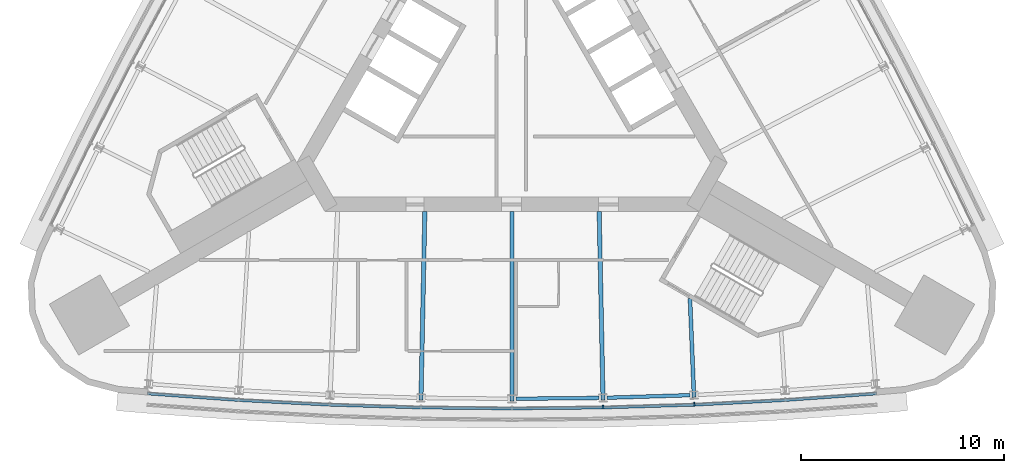
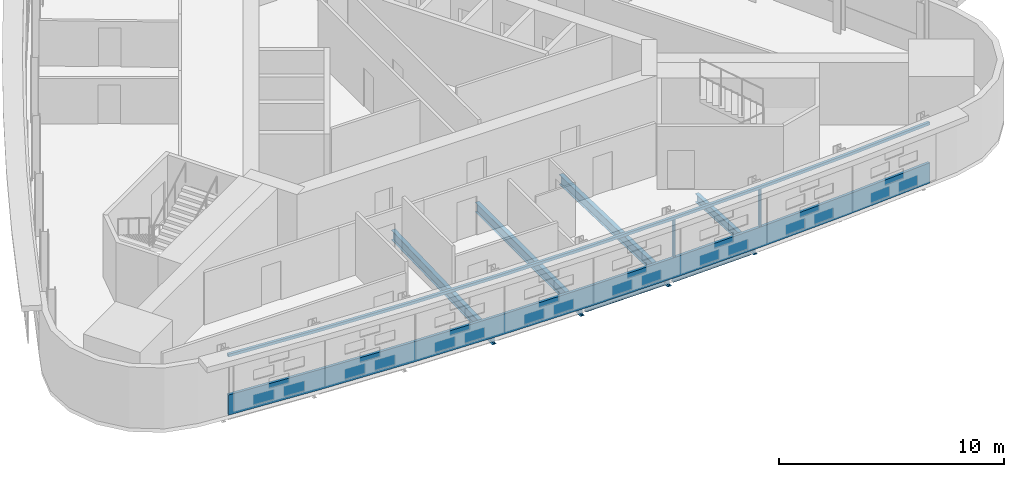
# One storey, part 3 of 13: 6 beams, 4 members, 1 element without a shape of its own.
"""IFC4 building model written with IfcOpenShell, lengths in metres."""

import ifcopenshell
import ifcopenshell.guid

model = None  # the IFC model being written
_history = None  # IfcOwnerHistory: only IFC2X3 demands one
_inside = {}  # id of a spatial element -> (the spatial element, [elements in it])
_under = {}  # id of a project, library or spatial element -> (it, [spatial elements below it])
_declared = {}  # id of a project -> (the project, [libraries it declares])
_typed = {}  # id of a type object -> (the type object, [elements of that type])
_made_of = {}  # id of a material, layer set ... -> (it, [elements and type objects made of it])


def new_model(schema):
    """Start an empty IFC model of exactly this schema.

    Asked for "IFC4X3", IfcOpenShell would pick the latest addendum, in which some entities
    have other attributes; the version numbers below select the first issue.
    IFC2X3 requires an IfcOwnerHistory on every rooted entity: one is made here for all.
    """
    global model, _history
    if schema == "IFC4X3":
        model = ifcopenshell.file(schema_version=(4, 3, 0, 0))
    else:
        model = ifcopenshell.file(schema=schema)
    _inside.clear()
    _under.clear()
    _declared.clear()
    _typed.clear()
    _made_of.clear()
    _history = None
    if model.schema == "IFC2X3":
        org = make("IfcOrganization", Name="unknown")
        user = make(
            "IfcPersonAndOrganization",
            ThePerson=make("IfcPerson", FamilyName="unknown"),
            TheOrganization=org,
        )
        app = make(
            "IfcApplication",
            ApplicationDeveloper=org,
            Version="unknown",
            ApplicationFullName="unknown",
            ApplicationIdentifier="unknown",
        )
        _history = make(
            "IfcOwnerHistory",
            OwningUser=user,
            OwningApplication=app,
            ChangeAction="ADDED",
            CreationDate=0,
        )
    return model


def make(cls, **values):
    """One entity of the class cls with the attributes given. An attribute that is None is left unset."""
    return model.create_entity(
        cls, **{name: value for name, value in values.items() if value is not None}
    )


def rooted(cls, **values):
    """An entity with a GlobalId (a new one), such as an element, a storey or a relation."""
    return make(cls, GlobalId=ifcopenshell.guid.new(), OwnerHistory=_history, **values)


def si_unit(unit_type, name, prefix=None):
    """IfcSIUnit, for example si_unit("LENGTHUNIT", "METRE", prefix="MILLI")."""
    return make("IfcSIUnit", UnitType=unit_type, Prefix=prefix, Name=name)


def assignment(units):
    """IfcUnitAssignment: the units of a project."""
    return None if units is None else make("IfcUnitAssignment", Units=units)


def point(xyz):
    """IfcCartesianPoint."""
    return None if xyz is None else make("IfcCartesianPoint", Coordinates=xyz)


def direction(xyz):
    """IfcDirection."""
    return None if xyz is None else make("IfcDirection", DirectionRatios=xyz)


def frame(location, z_axis=None, x_axis=None):
    """IfcAxis2Placement3D, a coordinate frame: its origin and axes. An axis left out is left unset."""
    return make(
        "IfcAxis2Placement3D",
        Location=point(location),
        Axis=direction(z_axis),
        RefDirection=direction(x_axis),
    )


def frame_2d(location, x_axis=None):
    """IfcAxis2Placement2D, a coordinate frame in the plane: its origin and x axis."""
    return make(
        "IfcAxis2Placement2D", Location=point(location), RefDirection=direction(x_axis)
    )


def origin():
    """The frame at (0, 0, 0) with its axes left unset."""
    return frame((0.0, 0.0, 0.0))


def origin_2d():
    """The frame at (0, 0) in the plane with its x axis left unset."""
    return frame_2d((0.0, 0.0))


def place(relative_to, where):
    """IfcLocalPlacement: puts the frame where relative to a parent placement (None: the world)."""
    return make(
        "IfcLocalPlacement", PlacementRelTo=relative_to, RelativePlacement=where
    )


def context(
    kind, dimensions, precision=None, world=None, true_north=None, identifier=None
):
    """IfcGeometricRepresentationContext, for example the 3D "Model" context."""
    return make(
        "IfcGeometricRepresentationContext",
        ContextIdentifier=identifier,
        ContextType=kind,
        CoordinateSpaceDimension=dimensions,
        Precision=precision,
        WorldCoordinateSystem=world,
        TrueNorth=true_north,
    )


def subcontext(parent, identifier, kind, view, scale=None):
    """IfcGeometricRepresentationSubContext, for example "Body" below "Model"."""
    return make(
        "IfcGeometricRepresentationSubContext",
        ContextIdentifier=identifier,
        ContextType=kind,
        ParentContext=parent,
        TargetScale=scale,
        TargetView=view,
    )


def project(units=None, contexts=None):
    """IfcProject with its units and contexts."""
    return rooted(
        "IfcProject",
        Name="project",
        RepresentationContexts=contexts,
        UnitsInContext=assignment(units),
    )


def spatial(cls, under=None, at=None, **own):
    """A site, building, storey or space (cls), placed at a placement, below another one or the project."""
    s = rooted(cls, ObjectPlacement=at, **own)
    if under is not None:
        _under.setdefault(under.id(), (under, []))[1].append(s)
    return s


def polyline(points):
    """IfcPolyline through the points."""
    return make("IfcPolyline", Points=[point(p) for p in points])


def profile(cls, at=None, kind="AREA", **sizes):
    """A parametric profile (cls). Its sizes go by their IFC names, for example OverallWidth=200.0."""
    return make(cls, ProfileType=kind, Position=at, **sizes)


def rectangle(**sizes):
    """IfcRectangleProfileDef."""
    return profile("IfcRectangleProfileDef", **sizes)


def i_section(**sizes):
    """IfcIShapeProfileDef."""
    return profile("IfcIShapeProfileDef", **sizes)


def outline(outer, holes=None, kind="AREA"):
    """IfcArbitraryClosedProfileDef: a profile drawn as a closed curve; with holes, ...WithVoids."""
    if holes is None:
        return make("IfcArbitraryClosedProfileDef", ProfileType=kind, OuterCurve=outer)
    return make(
        "IfcArbitraryProfileDefWithVoids",
        ProfileType=kind,
        OuterCurve=outer,
        InnerCurves=holes,
    )


def extrude(swept, where, along, depth):
    """IfcExtrudedAreaSolid: the profile swept, set in the frame where, extruded along a direction by depth."""
    return make(
        "IfcExtrudedAreaSolid",
        SweptArea=swept,
        Position=where,
        ExtrudedDirection=direction(along),
        Depth=depth,
    )


def shape(context_of_items, identifier, shape_type, items):
    """IfcShapeRepresentation: the items that make up one representation, for example the "Body"."""
    return make(
        "IfcShapeRepresentation",
        ContextOfItems=context_of_items,
        RepresentationIdentifier=identifier,
        RepresentationType=shape_type,
        Items=items,
    )


def material(Name=None, Category=None):
    """IfcMaterial."""
    return make("IfcMaterial", Name=Name, Category=Category)


def material_profile(
    of_material, cross_section, Name=None, Category=None, Priority=None
):
    """IfcMaterialProfile: a cross section and its material."""
    return make(
        "IfcMaterialProfile",
        Name=Name,
        Material=of_material,
        Profile=cross_section,
        Priority=Priority,
        Category=Category,
    )


def profile_set(profiles, Name=None, composite=None):
    """IfcMaterialProfileSet."""
    return make(
        "IfcMaterialProfileSet",
        Name=Name,
        MaterialProfiles=profiles,
        CompositeProfile=composite,
    )


def made_of(thing, what):
    """Note that an element or type object is made of a material, layer set ...; save() writes the relation."""
    if what is not None:
        _made_of.setdefault(what.id(), (what, []))[1].append(thing)
    return thing


def type_object(cls, material=None, **own):
    """A type object (cls), such as IfcWallType, which elements share."""
    return made_of(rooted(cls, **own), material)


def element(
    cls,
    number,
    at=None,
    inside=None,
    cuts=None,
    type_object=None,
    material=None,
    context=None,
    identifier="Body",
    shape_type=None,
    held_by="IfcProductDefinitionShape",
    body=None,
    shapes=None,
    **own,
):
    """One element of the class cls, such as IfcWall. Its Tag is "e" and its number.

    at: its placement. inside: the storey or other place that contains it. cuts: it is an
    opening in that element (IfcRelVoidsElement). A single representation is given by context,
    identifier, shape_type and body (its items); several are given by shapes. held_by: the class
    of the entity that holds the representations. save() writes the other relations.
    """
    e = rooted(cls, Tag="e%d" % number, ObjectPlacement=at, **own)
    if body is not None:
        shapes = [shape(context, identifier, shape_type, body)]
    if shapes is not None:
        e.Representation = make(held_by, Representations=shapes)
    if inside is not None:
        _inside.setdefault(inside.id(), (inside, []))[1].append(e)
    if cuts is not None:
        rooted(
            "IfcRelVoidsElement", RelatingBuildingElement=cuts, RelatedOpeningElement=e
        )
    if type_object is not None:
        _typed.setdefault(type_object.id(), (type_object, []))[1].append(e)
    return made_of(e, material)


def aggregate(whole, parts):
    """IfcRelAggregates: a whole, such as a stair, and the parts it consists of."""
    return rooted("IfcRelAggregates", RelatingObject=whole, RelatedObjects=parts)


def save(model, path):
    """Write the relations noted so far, then the file.

    IfcRelAggregates (storeys below a building ...), IfcRelContainedInSpatialStructure (elements
    in a storey), IfcRelDefinesByType, IfcRelAssociatesMaterial and IfcRelDeclares: one each for
    every whole, place, type object, material and project.
    """
    for whole, parts in _under.values():
        aggregate(whole, parts)
    for where, things in _inside.values():
        rooted(
            "IfcRelContainedInSpatialStructure",
            RelatedElements=things,
            RelatingStructure=where,
        )
    for kind, things in _typed.values():
        rooted("IfcRelDefinesByType", RelatedObjects=things, RelatingType=kind)
    for what, things in _made_of.values():
        rooted("IfcRelAssociatesMaterial", RelatedObjects=things, RelatingMaterial=what)
    for by, libraries in _declared.values():
        rooted("IfcRelDeclares", RelatingContext=by, RelatedDefinitions=libraries)
    model.write(path)


model = new_model("IFC4")

# Units and contexts
model_context = context("Model", 3, precision=1e-05, world=origin(), true_north=direction((0.0, 1.0)))
body_context = subcontext(model_context, "Body", "Model", "MODEL_VIEW")
ifc_project = project(units=[si_unit("LENGTHUNIT", "METRE"), si_unit("AREAUNIT", "SQUARE_METRE"), si_unit("VOLUMEUNIT", "CUBIC_METRE"), si_unit("PLANEANGLEUNIT", "RADIAN"), si_unit("MASSUNIT", "GRAM", prefix="KILO")], contexts=[model_context])

# Site, building, storey
site_placement = place(None, origin())
site = spatial("IfcSite", under=ifc_project, at=site_placement, CompositionType="ELEMENT")
building_placement = place(site_placement, origin())
building = spatial("IfcBuilding", under=site, at=building_placement, Name="Noor Cloister Tower", CompositionType="ELEMENT")
storey_placement = place(building_placement, frame((0.0, 0.0, 147.300048828125)))
storey = spatial("IfcBuildingStorey", under=building, at=storey_placement, Name="L37", CompositionType="ELEMENT", Elevation=147.300048828125)

# Curtain wall, members
ifc_material_1 = material(Name="Aluminium 6063-T6 anodised", Category="aluminium")
curtain_wall_type = type_object("IfcCurtainWallType", Name="Ribbon curtain wall, upper tower CW5", PredefinedType="NOTDEFINED", material=ifc_material_1)
curtain_wall_placement = place(storey_placement, origin())
curtain_wall = element("IfcCurtainWall", 1, at=curtain_wall_placement, inside=storey, type_object=curtain_wall_type, Name="CW5 L37 S run 2", PredefinedType="NOTDEFINED")
ifc_material_2 = material(Name="Aluminium 6063-T6 anodised", Category="aluminium")
member_type_1 = type_object("IfcMemberType", Name="Head transom CW5 150", PredefinedType="USERDEFINED", material=ifc_material_2)
member_1_placement = place(storey_placement, frame((0.0, 0.0, 3.14990234375)))
member_1 = element("IfcMember", 2, at=member_1_placement, type_object=member_type_1, Name="CW5 head transom", ObjectType="TRANSOM", PredefinedType="USERDEFINED", context=body_context, shape_type="SweptSolid", body=[
    extrude(outline(polyline([(-17.979736328125, -15.98486328125), (-13.491455078125, -16.307373046875), (-8.99755859375, -16.5380859375), (-4.499755859375, -16.67626953125), (0.0, -16.722412109375), (4.499755859375, -16.67626953125), (8.99755859375, -16.5380859375), (13.491455078125, -16.307373046875), (17.979736328125, -15.98486328125), (17.9697265625, -15.84521484375), (13.48291015625, -16.167724609375), (8.99169921875, -16.398193359375), (4.496826171875, -16.536376953125), (0.0, -16.58251953125), (-4.496826171875, -16.536376953125), (-8.99169921875, -16.398193359375), (-13.48291015625, -16.167724609375), (-17.9697265625, -15.84521484375), (-17.979736328125, -15.98486328125)])), origin(), (0.0, 0.0, 1.0), 0.150146484375),
])
ifc_material_3 = material(Name="Aluminium 6063-T6 anodised", Category="aluminium")
ifc_material_profile_1 = material_profile(ifc_material_3, rectangle(XDim=0.179931640625, YDim=0.070068359375, at=origin_2d()), Name="180 x 70 mullion")
ifc_profile_set_1 = profile_set([ifc_material_profile_1], Name="Aluminium 6063-T6 anodised")
member_type_2 = type_object("IfcMemberType", Name="Mullion CW5 70 x 180", PredefinedType="MULLION", material=ifc_profile_set_1)
member_2_placement = place(storey_placement, frame((4.49755859375, -16.576416015625, 1.099853515625), z_axis=(0.0, 0.0, 1.0), x_axis=(-0.020501958477, 0.99978981276, 0.0)))
member_2 = element("IfcMember", 3, at=member_2_placement, type_object=member_type_2, Name="CW5 mullion 6", PredefinedType="MULLION", context=body_context, shape_type="SweptSolid", body=[
    extrude(rectangle(XDim=0.179931640625, YDim=0.070068359375, at=origin_2d()), origin(), (0.0, 0.0, 1.0), 2.050048828125),
])
member_3_placement = place(storey_placement, frame((8.993408203125, -16.43798828125, 1.099853515625), z_axis=(0.0, 0.0, 1.0), x_axis=(-0.040995281015, 0.999159340113, 0.0)))
member_3 = element("IfcMember", 4, at=member_3_placement, type_object=member_type_2, Name="CW5 mullion 7", PredefinedType="MULLION", context=body_context, shape_type="SweptSolid", body=[
    extrude(rectangle(XDim=0.179931640625, YDim=0.070068359375, at=origin_2d()), origin(), (0.0, 0.0, 1.0), 2.050048828125),
])

# Beams
ifc_material_4 = material(Name="Steel ASTM A992 Gr 50", Category="steel")
ifc_material_profile_2 = material_profile(ifc_material_4, i_section(OverallWidth=0.19091796875, OverallDepth=0.45703125, WebThickness=0.009033203125, FlangeThickness=0.014404296875, FilletRadius=0.01025390625, at=origin_2d()), Name="W460x74")
ifc_profile_set_2 = profile_set([ifc_material_profile_2], Name="Steel ASTM A992 Gr 50")
beam_type_1 = type_object("IfcBeamType", Name="Radial beam W460x74", PredefinedType="BEAM", material=ifc_profile_set_2)
beam_1_placement = place(storey_placement, frame((8.979248046875, -16.095458984375, -0.428466796875), z_axis=(-0.040961128267, 0.999160740808, 0.0), x_axis=(-0.999160740808, -0.040961128267, 0.0)))
element("IfcBeam", 5, at=beam_1_placement, inside=storey, type_object=beam_type_1, Name="Radial beam S 07 L37", PredefinedType="BEAM", context=body_context, shape_type="SweptSolid", body=[
    extrude(i_section(OverallWidth=0.19091796875, OverallDepth=0.45703125, WebThickness=0.009033203125, FlangeThickness=0.014404296875, FilletRadius=0.01025390625, at=origin_2d()), origin(), (0.0, 0.0, 1.0), 4.86962890625),
])
ifc_material_5 = material(Name="Steel ASTM A992 Gr 50", Category="steel")
ifc_material_profile_3 = material_profile(ifc_material_5, i_section(OverallWidth=0.208984375, OverallDepth=0.532958984375, WebThickness=0.01025390625, FlangeThickness=0.015625, FilletRadius=0.0126953125, at=origin_2d()), Name="W530x92")
ifc_profile_set_3 = profile_set([ifc_material_profile_3], Name="Steel ASTM A992 Gr 50")
beam_type_2 = type_object("IfcBeamType", Name="Radial beam W530x92", PredefinedType="BEAM", material=ifc_profile_set_3)
beam_2_placement = place(storey_placement, frame((-4.49072265625, -16.2333984375, -0.466552734375), z_axis=(0.020513078009, 0.999789584678, 0.0), x_axis=(-0.999789584678, 0.020513078009, 0.0)))
element("IfcBeam", 6, at=beam_2_placement, inside=storey, type_object=beam_type_2, Name="Radial beam S 04 L37", PredefinedType="BEAM", context=body_context, shape_type="SweptSolid", body=[
    extrude(i_section(OverallWidth=0.208984375, OverallDepth=0.532958984375, WebThickness=0.01025390625, FlangeThickness=0.015625, FilletRadius=0.0126953125, at=origin_2d()), origin(), (0.0, 0.0, 1.0), 9.30712890625),
])
beam_3_placement = place(storey_placement, frame((0.0, -16.279541015625, -0.466552734375), z_axis=(0.0, 1.0, 0.0), x_axis=(-1.0, 0.0, 0.0)))
element("IfcBeam", 7, at=beam_3_placement, inside=storey, type_object=beam_type_2, Name="Radial beam S 05 L37", PredefinedType="BEAM", context=body_context, shape_type="SweptSolid", body=[
    extrude(i_section(OverallWidth=0.208984375, OverallDepth=0.532958984375, WebThickness=0.01025390625, FlangeThickness=0.015625, FilletRadius=0.0126953125, at=origin_2d()), origin(), (0.0, 0.0, 1.0), 9.351318359375),
])
beam_4_placement = place(storey_placement, frame((4.49072265625, -16.2333984375, -0.466552734375), z_axis=(-0.020513078009, 0.999789584678, 0.0), x_axis=(-0.999789584678, -0.020513078009, 0.0)))
element("IfcBeam", 8, at=beam_4_placement, inside=storey, type_object=beam_type_2, Name="Radial beam S 06 L37", PredefinedType="BEAM", context=body_context, shape_type="SweptSolid", body=[
    extrude(i_section(OverallWidth=0.208984375, OverallDepth=0.532958984375, WebThickness=0.01025390625, FlangeThickness=0.015625, FilletRadius=0.0126953125, at=origin_2d()), origin(), (0.0, 0.0, 1.0), 9.30712890625),
])

# Member
ifc_material_6 = material(Name="Aluminium 6063-T6 anodised", Category="aluminium")
member_type_3 = type_object("IfcMemberType", Name="Sill transom CW5 1100", PredefinedType="USERDEFINED", material=ifc_material_6)
member_4_placement = place(storey_placement, origin())
member_4 = element("IfcMember", 9, at=member_4_placement, type_object=member_type_3, Name="CW5 sill transom", ObjectType="TRANSOM", PredefinedType="USERDEFINED", context=body_context, shape_type="SweptSolid", body=[
    extrude(outline(polyline([(-17.979736328125, -15.98486328125), (-13.491455078125, -16.307373046875), (-8.99755859375, -16.5380859375), (-4.499755859375, -16.67626953125), (0.0, -16.722412109375), (4.499755859375, -16.67626953125), (8.99755859375, -16.5380859375), (13.491455078125, -16.307373046875), (17.979736328125, -15.98486328125), (17.9697265625, -15.84521484375), (13.48291015625, -16.167724609375), (8.99169921875, -16.398193359375), (4.496826171875, -16.536376953125), (0.0, -16.58251953125), (-4.496826171875, -16.536376953125), (-8.99169921875, -16.398193359375), (-13.48291015625, -16.167724609375), (-17.9697265625, -15.84521484375), (-17.979736328125, -15.98486328125)])), origin(), (0.0, 0.0, 1.0), 1.099853515625),
])

aggregate(curtain_wall, [member_2, member_3, member_4, member_1])

# Beams
ifc_material_7 = material(Name="Steel ASTM A992 Gr 50", Category="steel")
ifc_material_profile_4 = material_profile(ifc_material_7, i_section(OverallWidth=0.177978515625, OverallDepth=0.406005859375, WebThickness=0.0078125, FlangeThickness=0.0126953125, FilletRadius=0.01025390625, at=origin_2d()), Name="W410x60")
ifc_profile_set_4 = profile_set([ifc_material_profile_4], Name="Steel ASTM A992 Gr 50")
beam_type_3 = type_object("IfcBeamType", Name="Spandrel beam W410x60", PredefinedType="SPANDREL", material=ifc_profile_set_4)
beam_5_placement = place(storey_placement, frame((0.199462890625, -16.17041015625, -0.403076171875), z_axis=(0.99994789269, 0.010208423263, 0.0), x_axis=(-0.010208423263, 0.99994789269, 0.0)))
element("IfcBeam", 10, at=beam_5_placement, inside=storey, type_object=beam_type_3, Name="Spandrel beam S 05 L37", PredefinedType="SPANDREL", context=body_context, shape_type="SweptSolid", body=[
    extrude(i_section(OverallWidth=0.177978515625, OverallDepth=0.406005859375, WebThickness=0.0078125, FlangeThickness=0.0126953125, FilletRadius=0.01025390625, at=origin_2d()), origin(), (0.0, 0.0, 1.0), 4.089599609375),
])
beam_6_placement = place(storey_placement, frame((4.687744140625, -16.120361328125, -0.403076171875), z_axis=(0.99952733001, 0.030742748146, 0.0), x_axis=(-0.030742748146, 0.99952733001, 0.0)))
element("IfcBeam", 11, at=beam_6_placement, inside=storey, type_object=beam_type_3, Name="Spandrel beam S 06 L37", PredefinedType="SPANDREL", context=body_context, shape_type="SweptSolid", body=[
    extrude(i_section(OverallWidth=0.177978515625, OverallDepth=0.406005859375, WebThickness=0.0078125, FlangeThickness=0.0126953125, FilletRadius=0.01025390625, at=origin_2d()), origin(), (0.0, 0.0, 1.0), 4.08984375),
])

save(model, "model.ifc")
